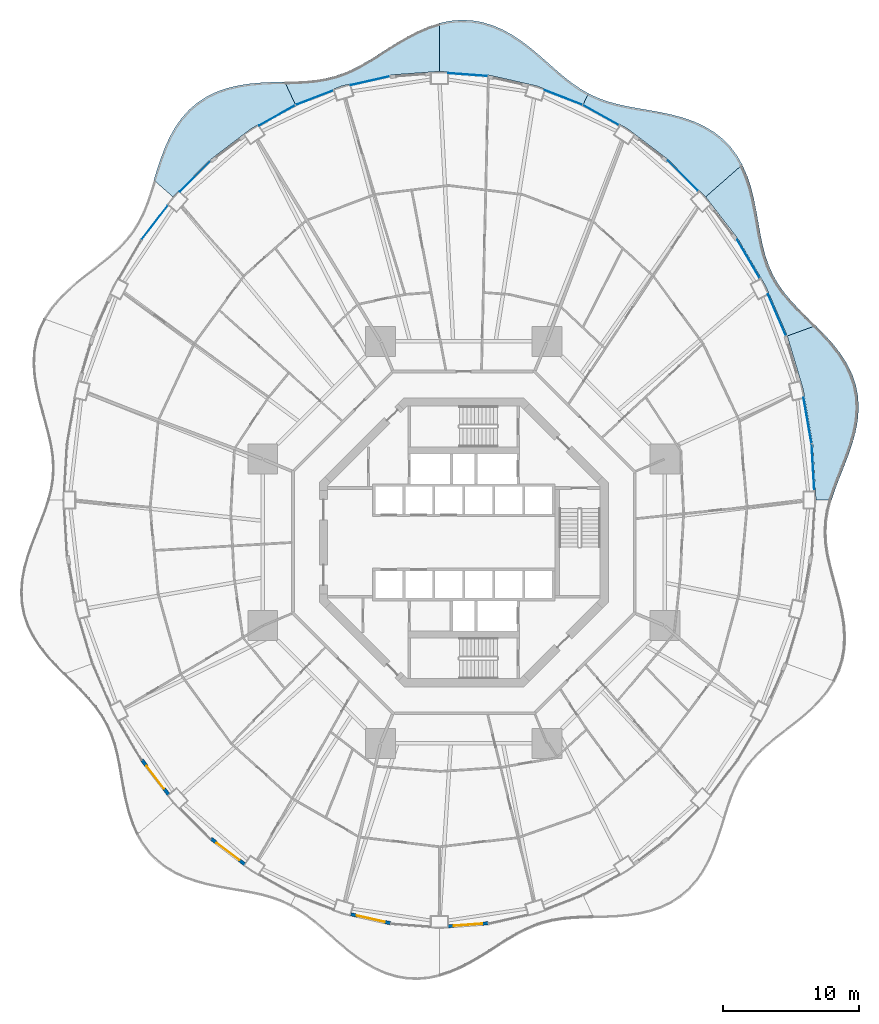
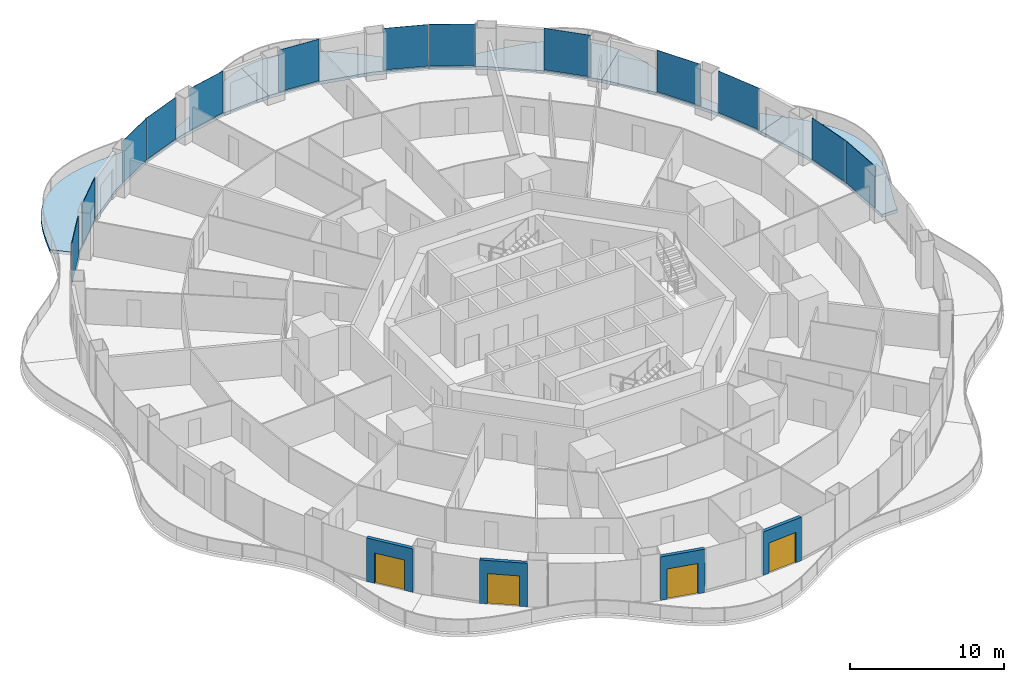
# One storey, part 13 of 22: 13 plates, 6 slabs, 4 doors, 4 walls, 4 openings, 13 elements without a shape of their own.
"""IFC4 building model written with IfcOpenShell, lengths in metres."""

from ifc_helpers import new_model, si_unit, direction, frame, frame_2d, origin, origin_2d, place, context, subcontext, project, spatial, polyline, rectangle, outline, extrude, material, layer, layer_set, type_object, element, fill, aggregate, save


model = new_model("IFC4")

# Units and contexts
model_context = context("Model", 3, precision=1e-05, world=origin(), true_north=direction((0.0, 1.0)))
body_context = subcontext(model_context, "Body", "Model", "MODEL_VIEW")
ifc_project = project(units=[si_unit("LENGTHUNIT", "METRE"), si_unit("AREAUNIT", "SQUARE_METRE"), si_unit("VOLUMEUNIT", "CUBIC_METRE"), si_unit("PLANEANGLEUNIT", "RADIAN"), si_unit("MASSUNIT", "GRAM", prefix="KILO")], contexts=[model_context])

# Site, building, storey
site_placement = place(None, origin())
site = spatial("IfcSite", under=ifc_project, at=site_placement, CompositionType="ELEMENT")
building_placement = place(site_placement, origin())
building = spatial("IfcBuilding", under=site, at=building_placement, Name="Nagisa Residences", CompositionType="ELEMENT")
storey_placement = place(building_placement, frame((0.0, 0.0, 99.199951171875)))
storey = spatial("IfcBuildingStorey", under=building, at=storey_placement, Name="L24", CompositionType="ELEMENT", Elevation=99.199951171875)

# Slabs
ifc_material_1 = material(Name="Concrete C40/50", Category="concrete")
ifc_layer_1 = layer(ifc_material_1, 0.25)
ifc_layer_set_1 = layer_set([ifc_layer_1], Name="BALCONY SLAB 250")
slab_type = type_object("IfcSlabType", Name="BALCONY SLAB 250", PredefinedType="FLOOR", material=ifc_layer_set_1)
slab_1_placement = place(storey_placement, frame((0.0, 0.0, -0.25)))
element("IfcSlab", 1, at=slab_1_placement, inside=storey, type_object=slab_type, Name="slab:L24:bal00", PredefinedType="FLOOR", context=body_context, shape_type="SweptSolid", body=[
    extrude(outline(polyline([(27.047119140625, 3.11767578125), (27.310302734375, 3.917236328125), (27.617919921875, 4.730712890625), (27.947509765625, 5.560546875), (28.27294921875, 6.40625), (28.568115234375, 7.26611328125), (28.807373046875, 8.1357421875), (28.96826171875, 9.0087890625), (29.031982421875, 9.8779296875), (28.986083984375, 10.735107421875), (28.82421875, 11.572509765625), (28.546630859375, 12.383056640625), (28.16064453125, 13.161865234375), (27.68017578125, 13.905517578125), (27.12353515625, 14.614013671875), (26.513427734375, 15.28955078125), (25.874755859375, 15.93798828125), (23.786865234375, 15.177978515625), (24.951416015625, 11.2744140625), (25.657958984375, 7.231201171875), (25.89501953125, 3.11767578125), (27.047119140625, 3.11767578125)])), origin(), (0.0, 0.0, 1.0), 0.25),
])
slab_2_placement = place(storey_placement, frame((0.0, 0.0, -0.25)))
element("IfcSlab", 2, at=slab_2_placement, inside=storey, type_object=slab_type, Name="slab:L24:bal01", PredefinedType="FLOOR", context=body_context, shape_type="SweptSolid", body=[
    extrude(outline(polyline([(25.874755859375, 15.93798828125), (25.251953125, 16.547607421875), (24.64794921875, 17.148193359375), (24.08154296875, 17.749755859375), (23.56787109375, 18.36279296875), (23.11767578125, 18.9970703125), (22.736083984375, 19.6611328125), (22.422119140625, 20.361328125), (22.169921875, 21.1015625), (21.96826171875, 21.88134765625), (21.802001953125, 22.697509765625), (21.65234375, 23.543212890625), (21.499755859375, 24.40771484375), (21.32373046875, 25.278076171875), (21.105224609375, 26.13916015625), (20.8271484375, 26.974853515625), (20.4765625, 27.76904296875), (17.783203125, 25.402099609375), (20.171875, 22.302734375), (22.1845703125, 18.875244140625), (23.786865234375, 15.177978515625), (25.874755859375, 15.93798828125)])), origin(), (0.0, 0.0, 1.0), 0.25),
])
slab_3_placement = place(storey_placement, frame((0.0, 0.0, -0.25)))
element("IfcSlab", 3, at=slab_3_placement, inside=storey, type_object=slab_type, Name="slab:L24:bal02", PredefinedType="FLOOR", context=body_context, shape_type="SweptSolid", body=[
    extrude(outline(polyline([(20.4765625, 27.76904296875), (20.066650390625, 28.473388671875), (19.578857421875, 29.11572265625), (19.01416015625, 29.6875), (18.37646484375, 30.18359375), (17.67431640625, 30.603271484375), (16.918212890625, 30.94873046875), (16.121826171875, 31.227294921875), (15.298828125, 31.448974609375), (14.464111328125, 31.626953125), (13.63134765625, 31.777587890625), (12.812744140625, 31.917236328125), (12.017822265625, 32.0634765625), (11.25341796875, 32.23291015625), (10.523193359375, 32.439697265625), (9.82763671875, 32.695556640625), (9.16357421875, 33.00830078125), (8.79833984375, 32.233642578125), (12.047607421875, 30.410400390625), (15.0595703125, 28.1201171875), (17.783203125, 25.402099609375), (20.4765625, 27.76904296875)])), origin(), (0.0, 0.0, 1.0), 0.25),
])
slab_4_placement = place(storey_placement, frame((0.0, 0.0, -0.25)))
element("IfcSlab", 4, at=slab_4_placement, inside=storey, type_object=slab_type, Name="slab:L24:bal03", PredefinedType="FLOOR", context=body_context, shape_type="SweptSolid", body=[
    extrude(outline(polyline([(9.16357421875, 33.00830078125), (8.548095703125, 33.3662109375), (7.9501953125, 33.7783203125), (7.361572265625, 34.239501953125), (6.7734375, 34.739990234375), (6.177734375, 35.266845703125), (5.566162109375, 35.80419921875), (4.932861328125, 36.334228515625), (4.273193359375, 36.838623046875), (3.584716796875, 37.298095703125), (2.86767578125, 37.69580078125), (2.124267578125, 38.01611328125), (1.358154296875, 38.247314453125), (0.575927734375, 38.380859375), (-0.21630859375, 38.412841796875), (-1.0107421875, 38.344482421875), (-1.800048828125, 38.1806640625), (-1.800048828125, 34.6328125), (1.81494140625, 34.363037109375), (5.367919921875, 33.558837890625), (8.79833984375, 32.233642578125), (9.16357421875, 33.00830078125)])), origin(), (0.0, 0.0, 1.0), 0.25),
])
slab_5_placement = place(storey_placement, frame((0.0, 0.0, -0.25)))
element("IfcSlab", 5, at=slab_5_placement, inside=storey, type_object=slab_type, Name="slab:L24:bal04", PredefinedType="FLOOR", context=body_context, shape_type="SweptSolid", body=[
    extrude(outline(polyline([(-1.800048828125, 38.1806640625), (-2.57763671875, 37.93115234375), (-3.33837890625, 37.609375), (-4.07861328125, 37.231201171875), (-4.796630859375, 36.8154296875), (-5.4931640625, 36.380615234375), (-6.170654296875, 35.946044921875), (-6.83349609375, 35.529296875), (-7.48779296875, 35.1455078125), (-8.140625, 34.806884765625), (-8.799072265625, 34.52197265625), (-9.47021484375, 34.29443359375), (-10.160400390625, 34.12451171875), (-10.8740234375, 34.0068359375), (-11.613525390625, 33.93359375), (-12.37939453125, 33.892333984375), (-13.169189453125, 33.868896484375), (-12.3984375, 32.233642578125), (-8.968017578125, 33.558837890625), (-5.4150390625, 34.363037109375), (-1.800048828125, 34.6328125), (-1.800048828125, 38.1806640625)])), origin(), (0.0, 0.0, 1.0), 0.25),
])
slab_6_placement = place(storey_placement, frame((0.0, 0.0, -0.25)))
element("IfcSlab", 6, at=slab_6_placement, inside=storey, type_object=slab_type, Name="slab:L24:bal05", PredefinedType="FLOOR", context=body_context, shape_type="SweptSolid", body=[
    extrude(outline(polyline([(-13.169189453125, 33.868896484375), (-14.008544921875, 33.845703125), (-14.860107421875, 33.805419921875), (-15.7138671875, 33.729736328125), (-16.557373046875, 33.601806640625), (-17.3779296875, 33.4072265625), (-18.162353515625, 33.1357421875), (-18.8994140625, 32.7802734375), (-19.57861328125, 32.33837890625), (-20.19287109375, 31.8125), (-20.73828125, 31.208251953125), (-21.2138671875, 30.53564453125), (-21.62353515625, 29.80712890625), (-21.97412109375, 29.037353515625), (-22.2763671875, 28.242431640625), (-22.543212890625, 27.437744140625), (-22.7900390625, 26.638427734375), (-21.38330078125, 25.402099609375), (-18.65966796875, 28.1201171875), (-15.6474609375, 30.410400390625), (-12.3984375, 32.233642578125), (-13.169189453125, 33.868896484375)])), origin(), (0.0, 0.0, 1.0), 0.25),
])

# Curtain wall, plate
ifc_material_2 = material(Name="Concrete-coloured aluminium curtain wall system", Category="concrete")
ifc_layer_2 = layer(ifc_material_2, 0.159912109375)
ifc_layer_set_2 = layer_set([ifc_layer_2], Name="CW1 CURTAIN WALL")
curtain_wall_type = type_object("IfcCurtainWallType", Name="CW1 CURTAIN WALL", PredefinedType="NOTDEFINED", material=ifc_layer_set_2)
curtain_wall_1_placement = place(storey_placement, origin())
curtain_wall_1 = element("IfcCurtainWall", 7, at=curtain_wall_1_placement, inside=storey, type_object=curtain_wall_type, Name="cw:CW1:L24:00", PredefinedType="NOTDEFINED")
ifc_material_3 = material(Name="Clear laminated glass", Category="glass")
ifc_layer_3 = layer(ifc_material_3, 0.028076171875)
ifc_layer_set_3 = layer_set([ifc_layer_3], Name="CW1 GLASS PANEL")
plate_type = type_object("IfcPlateType", Name="CW1 GLASS PANEL", PredefinedType="CURTAIN_PANEL", material=ifc_layer_set_3)
plate_1_placement = place(storey_placement, frame((25.67626953125, 5.524169921875, 0.150146484375), z_axis=(0.0, 0.0, 1.0), x_axis=(-0.057503492216, 0.998345305184, 0.0)))
plate_1 = element("IfcPlate", 8, at=plate_1_placement, type_object=plate_type, Name="CW1 panel", PredefinedType="CURTAIN_PANEL", context=body_context, shape_type="SweptSolid", body=[
    extrude(rectangle(XDim=3.410400390625, YDim=0.028076171875, at=origin_2d()), origin(), (0.0, 0.0, 1.0), 3.2900390625),
])
aggregate(curtain_wall_1, [plate_1])

curtain_wall_2_placement = place(storey_placement, origin())
curtain_wall_2 = element("IfcCurtainWall", 9, at=curtain_wall_2_placement, inside=storey, type_object=curtain_wall_type, Name="cw:CW1:L24:01", PredefinedType="NOTDEFINED")
plate_2_placement = place(storey_placement, frame((25.276611328125, 8.948486328125, 0.150146484375), z_axis=(0.0, 0.0, 1.0), x_axis=(-0.172190868898, 0.985063604377, 0.0)))
plate_2 = element("IfcPlate", 10, at=plate_2_placement, type_object=plate_type, Name="CW1 panel", PredefinedType="CURTAIN_PANEL", context=body_context, shape_type="SweptSolid", body=[
    extrude(rectangle(XDim=3.39453125, YDim=0.028076171875, at=origin_2d()), origin(), (0.0, 0.0, 1.0), 3.2900390625),
])
aggregate(curtain_wall_2, [plate_2])

curtain_wall_3_placement = place(storey_placement, origin())
curtain_wall_3 = element("IfcCurtainWall", 11, at=curtain_wall_3_placement, inside=storey, type_object=curtain_wall_type, Name="cw:CW1:L24:03", PredefinedType="NOTDEFINED")
plate_3_placement = place(storey_placement, frame((23.029541015625, 16.72412109375, 0.150146484375), z_axis=(0.0, 0.0, 1.0), x_axis=(-0.397635934147, 0.917543276295, 0.0)))
plate_3 = element("IfcPlate", 12, at=plate_3_placement, type_object=plate_type, Name="CW1 panel", PredefinedType="CURTAIN_PANEL", context=body_context, shape_type="SweptSolid", body=[
    extrude(rectangle(XDim=3.319580078125, YDim=0.028076171875, at=origin_2d()), origin(), (0.0, 0.0, 1.0), 3.2900390625),
])
aggregate(curtain_wall_3, [plate_3])

curtain_wall_4_placement = place(storey_placement, origin())
curtain_wall_4 = element("IfcCurtainWall", 13, at=curtain_wall_4_placement, inside=storey, type_object=curtain_wall_type, Name="cw:CW1:L24:04", PredefinedType="NOTDEFINED")
plate_4_placement = place(storey_placement, frame((20.929443359375, 20.854736328125, 0.150146484375), z_axis=(0.0, 0.0, 1.0), x_axis=(-0.506348567002, 0.862328898214, 0.0)))
plate_4 = element("IfcPlate", 14, at=plate_4_placement, type_object=plate_type, Name="CW1 panel", PredefinedType="CURTAIN_PANEL", context=body_context, shape_type="SweptSolid", body=[
    extrude(rectangle(XDim=3.264892578125, YDim=0.028076171875, at=origin_2d()), origin(), (0.0, 0.0, 1.0), 3.2900390625),
])
aggregate(curtain_wall_4, [plate_4])

curtain_wall_5_placement = place(storey_placement, origin())
curtain_wall_5 = element("IfcCurtainWall", 15, at=curtain_wall_5_placement, inside=storey, type_object=curtain_wall_type, Name="cw:CW1:L24:06", PredefinedType="NOTDEFINED")
plate_5_placement = place(storey_placement, frame((16.11376953125, 26.955322265625, 0.150146484375), z_axis=(0.0, 0.0, 1.0), x_axis=(-0.707835924016, 0.706376885714, 0.0)))
plate_5 = element("IfcPlate", 16, at=plate_5_placement, type_object=plate_type, Name="CW1 panel", PredefinedType="CURTAIN_PANEL", context=body_context, shape_type="SweptSolid", body=[
    extrude(rectangle(XDim=3.137939453125, YDim=0.028076171875, at=origin_2d()), origin(), (0.0, 0.0, 1.0), 3.2900390625),
])
aggregate(curtain_wall_5, [plate_5])

curtain_wall_6_placement = place(storey_placement, origin())
curtain_wall_6 = element("IfcCurtainWall", 17, at=curtain_wall_6_placement, inside=storey, type_object=curtain_wall_type, Name="cw:CW1:L24:08", PredefinedType="NOTDEFINED")
plate_6_placement = place(storey_placement, frame((10.07421875, 31.426025390625, 0.150146484375), z_axis=(0.0, 0.0, 1.0), x_axis=(-0.872072377523, 0.489376918501, 0.0)))
plate_6 = element("IfcPlate", 18, at=plate_6_placement, type_object=plate_type, Name="CW1 panel", PredefinedType="CURTAIN_PANEL", context=body_context, shape_type="SweptSolid", body=[
    extrude(rectangle(XDim=3.015625, YDim=0.028076171875, at=origin_2d()), origin(), (0.0, 0.0, 1.0), 3.2900390625),
])
aggregate(curtain_wall_6, [plate_6])

curtain_wall_7_placement = place(storey_placement, origin())
curtain_wall_7 = element("IfcCurtainWall", 19, at=curtain_wall_7_placement, inside=storey, type_object=curtain_wall_type, Name="cw:CW1:L24:09", PredefinedType="NOTDEFINED")
plate_7_placement = place(storey_placement, frame((7.32958984375, 32.71533203125, 0.150146484375), z_axis=(0.0, 0.0, 1.0), x_axis=(-0.932825759707, 0.360327770268, 0.0)))
plate_7 = element("IfcPlate", 20, at=plate_7_placement, type_object=plate_type, Name="CW1 panel", PredefinedType="CURTAIN_PANEL", context=body_context, shape_type="SweptSolid", body=[
    extrude(rectangle(XDim=2.967529296875, YDim=0.028076171875, at=origin_2d()), origin(), (0.0, 0.0, 1.0), 3.2900390625),
])
aggregate(curtain_wall_7, [plate_7])

curtain_wall_8_placement = place(storey_placement, origin())
curtain_wall_8 = element("IfcCurtainWall", 21, at=curtain_wall_8_placement, inside=storey, type_object=curtain_wall_type, Name="cw:CW1:L24:11", PredefinedType="NOTDEFINED")
plate_8_placement = place(storey_placement, frame((0.295654296875, 34.396240234375, 0.150146484375), z_axis=(0.0, 0.0, 1.0), x_axis=(-0.997230168512, 0.074377355493, 0.0)))
plate_8 = element("IfcPlate", 22, at=plate_8_placement, type_object=plate_type, Name="CW1 panel", PredefinedType="CURTAIN_PANEL", context=body_context, shape_type="SweptSolid", body=[
    extrude(rectangle(XDim=2.9150390625, YDim=0.028076171875, at=origin_2d()), origin(), (0.0, 0.0, 1.0), 3.2900390625),
])
aggregate(curtain_wall_8, [plate_8])

curtain_wall_9_placement = place(storey_placement, origin())
curtain_wall_9 = element("IfcCurtainWall", 23, at=curtain_wall_9_placement, inside=storey, type_object=curtain_wall_type, Name="cw:CW1:L24:13", PredefinedType="NOTDEFINED")
plate_9_placement = place(storey_placement, frame((-6.885986328125, 33.947998046875, 0.150146484375), z_axis=(0.0, 0.0, 1.0), x_axis=(-0.975327274089, -0.2207639201, 0.0)))
plate_9 = element("IfcPlate", 24, at=plate_9_placement, type_object=plate_type, Name="CW1 panel", PredefinedType="CURTAIN_PANEL", context=body_context, shape_type="SweptSolid", body=[
    extrude(rectangle(XDim=2.932861328125, YDim=0.028076171875, at=origin_2d()), origin(), (0.0, 0.0, 1.0), 3.2900390625),
])
aggregate(curtain_wall_9, [plate_9])

curtain_wall_10_placement = place(storey_placement, origin())
curtain_wall_10 = element("IfcCurtainWall", 25, at=curtain_wall_10_placement, inside=storey, type_object=curtain_wall_type, Name="cw:CW1:L24:14", PredefinedType="NOTDEFINED")
plate_10_placement = place(storey_placement, frame((-10.985595703125, 32.69384765625, 0.150146484375), z_axis=(0.0, 0.0, 1.0), x_axis=(-0.932825759707, -0.360327770268, 0.0)))
plate_10 = element("IfcPlate", 26, at=plate_10_placement, type_object=plate_type, Name="CW1 panel", PredefinedType="CURTAIN_PANEL", context=body_context, shape_type="SweptSolid", body=[
    extrude(rectangle(XDim=2.967529296875, YDim=0.028076171875, at=origin_2d()), origin(), (0.0, 0.0, 1.0), 3.2900390625),
])
aggregate(curtain_wall_10, [plate_10])

curtain_wall_11_placement = place(storey_placement, origin())
curtain_wall_11 = element("IfcCurtainWall", 27, at=curtain_wall_11_placement, inside=storey, type_object=curtain_wall_type, Name="cw:CW1:L24:15", PredefinedType="NOTDEFINED")
plate_11_placement = place(storey_placement, frame((-13.7265625, 31.396728515625, 0.150146484375), z_axis=(0.0, 0.0, 1.0), x_axis=(-0.872072377523, -0.489376918501, 0.0)))
plate_11 = element("IfcPlate", 28, at=plate_11_placement, type_object=plate_type, Name="CW1 panel", PredefinedType="CURTAIN_PANEL", context=body_context, shape_type="SweptSolid", body=[
    extrude(rectangle(XDim=3.015625, YDim=0.028076171875, at=origin_2d()), origin(), (0.0, 0.0, 1.0), 3.2900390625),
])
aggregate(curtain_wall_11, [plate_11])

curtain_wall_12_placement = place(storey_placement, origin())
curtain_wall_12 = element("IfcCurtainWall", 29, at=curtain_wall_12_placement, inside=storey, type_object=curtain_wall_type, Name="cw:CW1:L24:17", PredefinedType="NOTDEFINED")
plate_12_placement = place(storey_placement, frame((-19.756103515625, 26.912841796875, 0.150146484375), z_axis=(0.0, 0.0, 1.0), x_axis=(-0.707835924016, -0.706376885714, 0.0)))
plate_12 = element("IfcPlate", 30, at=plate_12_placement, type_object=plate_type, Name="CW1 panel", PredefinedType="CURTAIN_PANEL", context=body_context, shape_type="SweptSolid", body=[
    extrude(rectangle(XDim=3.137939453125, YDim=0.028076171875, at=origin_2d()), origin(), (0.0, 0.0, 1.0), 3.2900390625),
])
aggregate(curtain_wall_12, [plate_12])

curtain_wall_13_placement = place(storey_placement, origin())
curtain_wall_13 = element("IfcCurtainWall", 31, at=curtain_wall_13_placement, inside=storey, type_object=curtain_wall_type, Name="cw:CW1:L24:18", PredefinedType="NOTDEFINED")
plate_13_placement = place(storey_placement, frame((-22.73095703125, 23.5224609375, 0.150146484375), z_axis=(0.0, 0.0, 1.0), x_axis=(-0.610429828235, -0.792070340816, 0.0)))
plate_13 = element("IfcPlate", 32, at=plate_13_placement, type_object=plate_type, Name="CW1 panel", PredefinedType="CURTAIN_PANEL", context=body_context, shape_type="SweptSolid", body=[
    extrude(rectangle(XDim=3.202880859375, YDim=0.028076171875, at=origin_2d()), origin(), (0.0, 0.0, 1.0), 3.2900390625),
])
aggregate(curtain_wall_13, [plate_13])

# Wall, opening, door
ifc_material_4 = material(Name="Precast concrete C40/50", Category="concrete")
ifc_layer_4 = layer(ifc_material_4, 0.25)
ifc_layer_set_4 = layer_set([ifc_layer_4], Name="BALCONY DOOR WALL 250")
wall_type = type_object("IfcWallType", Name="BALCONY DOOR WALL 250", PredefinedType="SOLIDWALL", material=ifc_layer_set_4)
wall_1_placement = place(storey_placement, frame((-21.68115234375, -18.57568359375, 0.0), z_axis=(0.0, 0.0, 1.0), x_axis=(-0.61041202934, 0.792084057684, 0.0)))
wall_1 = element("IfcWall", 33, at=wall_1_placement, inside=storey, type_object=wall_type, Name="wall:L24:bay29", PredefinedType="SOLIDWALL", context=body_context, shape_type="SweptSolid", body=[
    extrude(rectangle(XDim=3.262939453125, YDim=0.25, at=frame_2d((1.63134765625, 0.0))), origin(), (0.0, 0.0, 1.0), 3.43994140625),
])
opening_1_placement = place(wall_1_placement, frame((0.58154296875, 0.0, 0.0)))
opening_1 = element("IfcOpeningElement", 34, at=opening_1_placement, cuts=wall_1, Name="Opening BD-L24-10", PredefinedType="OPENING", context=body_context, shape_type="SweptSolid", body=[
    extrude(rectangle(XDim=2.10009765625, YDim=2.39990234375, at=frame_2d((1.050048828125, 1.199951171875))), frame((0.0, 0.135009765625, 0.0), z_axis=(0.0, -1.0, 0.0), x_axis=(1.0, 0.0, 0.0)), (0.0, 0.0, 1.0), 0.27001953125),
])
ifc_material_5 = material(Name="Aluminium and clear glass", Category="aluminium")
door_type = type_object("IfcDoorType", Name="BALCONY SLIDING DOOR 2100x2400", OperationType="SLIDING_TO_LEFT", PredefinedType="DOOR", material=ifc_material_5)
door_1_placement = place(opening_1_placement, origin())
door_1 = element("IfcDoor", 35, at=door_1_placement, inside=storey, type_object=door_type, Name="door:L24:bay29", OperationType="SLIDING_TO_LEFT", OverallHeight=2.39990234375, OverallWidth=2.10009765625, PredefinedType="DOOR", context=body_context, shape_type="SweptSolid", body=[
    extrude(rectangle(XDim=2.10009765625, YDim=2.39990234375, at=frame_2d((1.050048828125, 1.199951171875))), frame((0.0, 0.02490234375, 0.0), z_axis=(0.0, -1.0, 0.0), x_axis=(1.0, 0.0, 0.0)), (0.0, 0.0, 1.0), 0.050048828125),
])
fill(opening_1, door_1)

wall_2_placement = place(storey_placement, frame((-16.08935546875, -23.68212890625, 0.0), z_axis=(0.0, 0.0, 1.0), x_axis=(-0.796037575978, 0.605247203736, 0.0)))
wall_2 = element("IfcWall", 36, at=wall_2_placement, inside=storey, type_object=wall_type, Name="wall:L24:bay31", PredefinedType="SOLIDWALL", context=body_context, shape_type="SweptSolid", body=[
    extrude(rectangle(XDim=3.1337890625, YDim=0.25, at=frame_2d((1.56689453125, 0.0))), origin(), (0.0, 0.0, 1.0), 3.43994140625),
])
opening_2_placement = place(wall_2_placement, frame((0.51708984375, 0.0, 0.0)))
opening_2 = element("IfcOpeningElement", 37, at=opening_2_placement, cuts=wall_2, Name="Opening BD-L24-11", PredefinedType="OPENING", context=body_context, shape_type="SweptSolid", body=[
    extrude(rectangle(XDim=2.10009765625, YDim=2.39990234375, at=frame_2d((1.050048828125, 1.199951171875))), frame((0.0, 0.135009765625, 0.0), z_axis=(0.0, -1.0, 0.0), x_axis=(1.0, 0.0, 0.0)), (0.0, 0.0, 1.0), 0.27001953125),
])
door_2_placement = place(opening_2_placement, origin())
door_2 = element("IfcDoor", 38, at=door_2_placement, inside=storey, type_object=door_type, Name="door:L24:bay31", OperationType="SLIDING_TO_LEFT", OverallHeight=2.39990234375, OverallWidth=2.10009765625, PredefinedType="DOOR", context=body_context, shape_type="SweptSolid", body=[
    extrude(rectangle(XDim=2.10009765625, YDim=2.39990234375, at=frame_2d((1.050048828125, 1.199951171875))), frame((0.0, 0.02490234375, 0.0), z_axis=(0.0, -1.0, 0.0), x_axis=(1.0, 0.0, 0.0)), (0.0, 0.0, 1.0), 0.050048828125),
])
fill(opening_2, door_2)

wall_3_placement = place(storey_placement, frame((-5.38720703125, -28.005859375, 0.0), z_axis=(0.0, 0.0, 1.0), x_axis=(-0.975317607872, 0.220806620767, 0.0)))
wall_3 = element("IfcWall", 39, at=wall_3_placement, inside=storey, type_object=wall_type, Name="wall:L24:bay34", PredefinedType="SOLIDWALL", context=body_context, shape_type="SweptSolid", body=[
    extrude(rectangle(XDim=2.9931640625, YDim=0.25, at=frame_2d((1.49658203125, 0.0))), origin(), (0.0, 0.0, 1.0), 3.43994140625),
])
opening_3_placement = place(wall_3_placement, frame((0.446533203125, 0.0, 0.0)))
opening_3 = element("IfcOpeningElement", 40, at=opening_3_placement, cuts=wall_3, Name="Opening BD-L24-12", PredefinedType="OPENING", context=body_context, shape_type="SweptSolid", body=[
    extrude(rectangle(XDim=2.10009765625, YDim=2.39990234375, at=frame_2d((1.050048828125, 1.199951171875))), frame((0.0, 0.135009765625, 0.0), z_axis=(0.0, -1.0, 0.0), x_axis=(1.0, 0.0, 0.0)), (0.0, 0.0, 1.0), 0.27001953125),
])
door_3_placement = place(opening_3_placement, origin())
door_3 = element("IfcDoor", 41, at=door_3_placement, inside=storey, type_object=door_type, Name="door:L24:bay34", OperationType="SLIDING_TO_LEFT", OverallHeight=2.39990234375, OverallWidth=2.10009765625, PredefinedType="DOOR", context=body_context, shape_type="SweptSolid", body=[
    extrude(rectangle(XDim=2.10009765625, YDim=2.39990234375, at=frame_2d((1.050048828125, 1.199951171875))), frame((0.0, 0.02490234375, 0.0), z_axis=(0.0, -1.0, 0.0), x_axis=(1.0, 0.0, 0.0)), (0.0, 0.0, 1.0), 0.050048828125),
])
fill(opening_3, door_3)

wall_4_placement = place(storey_placement, frame((1.8056640625, -28.0029296875, 0.0), z_axis=(0.0, 0.0, 1.0), x_axis=(-0.997226174467, -0.074430887117, 0.0)))
wall_4 = element("IfcWall", 42, at=wall_4_placement, inside=storey, type_object=wall_type, Name="wall:L24:bay36", PredefinedType="SOLIDWALL", context=body_context, shape_type="SweptSolid", body=[
    extrude(rectangle(XDim=2.97509765625, YDim=0.25, at=frame_2d((1.487548828125, 0.0))), origin(), (0.0, 0.0, 1.0), 3.43994140625),
])
opening_4_placement = place(wall_4_placement, frame((0.4375, 0.0, 0.0)))
opening_4 = element("IfcOpeningElement", 43, at=opening_4_placement, cuts=wall_4, Name="Opening BD-L24-13", PredefinedType="OPENING", context=body_context, shape_type="SweptSolid", body=[
    extrude(rectangle(XDim=2.10009765625, YDim=2.39990234375, at=frame_2d((1.050048828125, 1.199951171875))), frame((0.0, 0.135009765625, 0.0), z_axis=(0.0, -1.0, 0.0), x_axis=(1.0, 0.0, 0.0)), (0.0, 0.0, 1.0), 0.27001953125),
])
door_4_placement = place(opening_4_placement, origin())
door_4 = element("IfcDoor", 44, at=door_4_placement, inside=storey, type_object=door_type, Name="door:L24:bay36", OperationType="SLIDING_TO_LEFT", OverallHeight=2.39990234375, OverallWidth=2.10009765625, PredefinedType="DOOR", context=body_context, shape_type="SweptSolid", body=[
    extrude(rectangle(XDim=2.10009765625, YDim=2.39990234375, at=frame_2d((1.050048828125, 1.199951171875))), frame((0.0, 0.02490234375, 0.0), z_axis=(0.0, -1.0, 0.0), x_axis=(1.0, 0.0, 0.0)), (0.0, 0.0, 1.0), 0.050048828125),
])
fill(opening_4, door_4)

save(model, "model.ifc")
